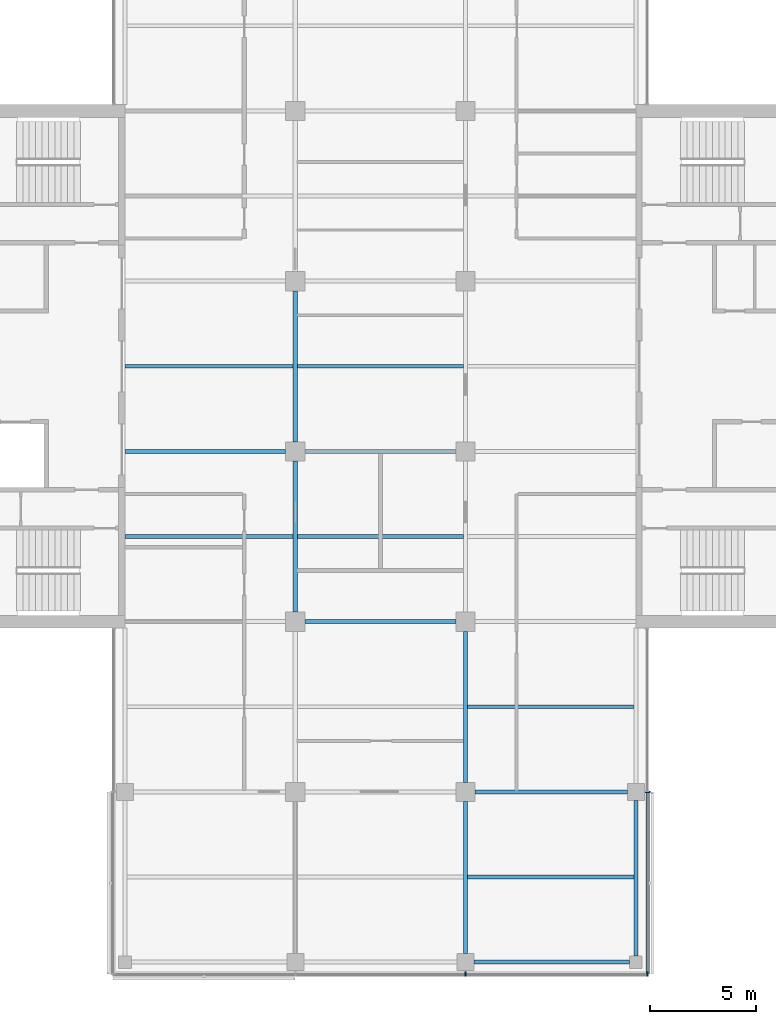
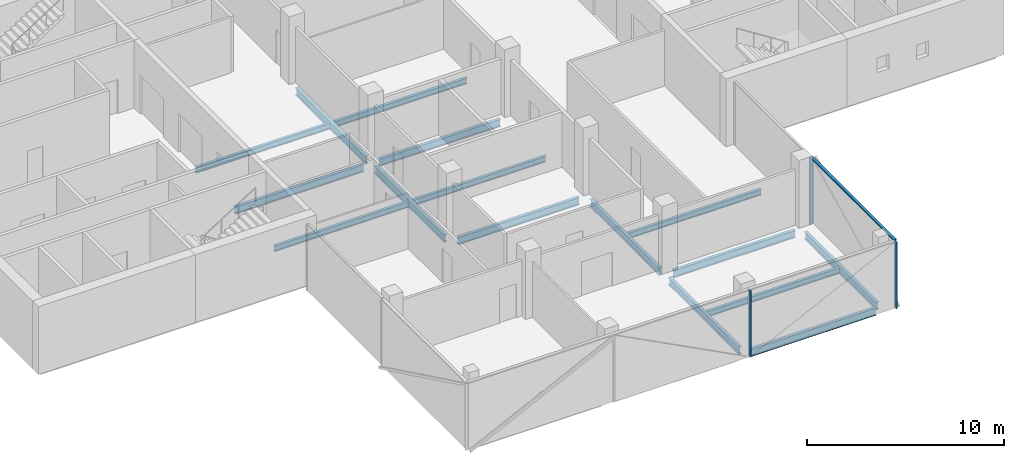
# One storey, part 3 of 15: 16 beams, 4 members, 2 elements without a shape of their own.
"""IFC4 building model written with IfcOpenShell, lengths in metres."""

from ifc_helpers import new_model, si_unit, direction, frame, origin, origin_2d, place, context, subcontext, project, spatial, rectangle, i_section, extrude, material, material_profile, profile_set, type_object, element, aggregate, save


model = new_model("IFC4")

# Units and contexts
model_context = context("Model", 3, precision=1e-05, world=origin(), true_north=direction((0.0, 1.0)))
body_context = subcontext(model_context, "Body", "Model", "MODEL_VIEW")
ifc_project = project(units=[si_unit("LENGTHUNIT", "METRE"), si_unit("AREAUNIT", "SQUARE_METRE"), si_unit("VOLUMEUNIT", "CUBIC_METRE"), si_unit("PLANEANGLEUNIT", "RADIAN"), si_unit("MASSUNIT", "GRAM", prefix="KILO")], contexts=[model_context])

# Site, building, storey
site_placement = place(None, origin())
site = spatial("IfcSite", under=ifc_project, at=site_placement, CompositionType="ELEMENT")
building_placement = place(site_placement, origin())
building = spatial("IfcBuilding", under=site, at=building_placement, Name="Crosswind Convention Tower", CompositionType="ELEMENT")
storey_placement = place(building_placement, frame((0.0, 0.0, 225.10009765625)))
storey = spatial("IfcBuildingStorey", under=building, at=storey_placement, Name="L48", CompositionType="ELEMENT", Elevation=225.10009765625)

# Beams
ifc_material_1 = material(Name="Steel S355", Category="steel")
ifc_material_profile_1 = material_profile(ifc_material_1, i_section(OverallWidth=0.18994140625, OverallDepth=0.45361328125, WebThickness=0.008544921875, FlangeThickness=0.0126953125, FilletRadius=0.01025390625, at=origin_2d()), Name="UB 457x191x67")
ifc_profile_set_1 = profile_set([ifc_material_profile_1], Name="Steel S355")
beam_type_1 = type_object("IfcBeamType", Name="Edge beam UB 457x191x67", PredefinedType="SPANDREL", material=ifc_profile_set_1)
for number, where, z_axis, x_axis, name in (
    (1, (129.39990234375, 72.0, -0.52685546875), (1.0, 0.0, 0.0), (0.0, 1.0, 0.0), "B16 L48 edge beam 9"),
    (2, (137.0, 72.300048828125, -0.52685546875), (0.0, 1.0, 0.0), (-1.0, 0.0, 0.0), "B16 L48 edge beam 11"),
):
    element("IfcBeam", number, at=place(storey_placement, frame(where, z_axis=z_axis, x_axis=x_axis)), inside=storey, type_object=beam_type_1, Name=name, PredefinedType="SPANDREL", context=body_context, shape_type="SweptSolid", body=[
        extrude(i_section(OverallWidth=0.18994140625, OverallDepth=0.45361328125, WebThickness=0.008544921875, FlangeThickness=0.0126953125, FilletRadius=0.01025390625, at=origin_2d()), origin(), (0.0, 0.0, 1.0), 7.300048828125),
    ])
ifc_material_profile_2 = material_profile(ifc_material_1, i_section(OverallWidth=0.1904296875, OverallDepth=0.457275390625, WebThickness=0.009033203125, FlangeThickness=0.014404296875, FilletRadius=0.01025390625, at=origin_2d()), Name="UB 457x191x75")
ifc_profile_set_2 = profile_set([ifc_material_profile_2], Name="Steel S355")
beam_type_2 = type_object("IfcBeamType", Name="Girder UB 457x191x75", PredefinedType="BEAM", material=ifc_profile_set_2)
for number, where, z_axis, x_axis, name in (
    (3, (121.0, 88.449951171875, -0.52880859375), (0.0, 1.0, 0.0), (-1.0, 0.0, 0.0), "B2 L48 girder 5"),
    (4, (121.0, 96.449951171875, -0.52880859375), (0.0, 1.0, 0.0), (-1.0, 0.0, 0.0), "B2 L48 girder 6"),
    (5, (121.449951171875, 88.0, -0.52880859375), (1.0, 0.0, 0.0), (0.0, 1.0, 0.0), "B2 L48 girder 11"),
    (6, (121.449951171875, 96.0, -0.52880859375), (1.0, 0.0, 0.0), (0.0, 1.0, 0.0), "B2 L48 girder 12"),
):
    element("IfcBeam", number, at=place(storey_placement, frame(where, z_axis=z_axis, x_axis=x_axis)), inside=storey, type_object=beam_type_2, Name=name, PredefinedType="BEAM", context=body_context, shape_type="SweptSolid", body=[
        extrude(i_section(OverallWidth=0.1904296875, OverallDepth=0.457275390625, WebThickness=0.009033203125, FlangeThickness=0.014404296875, FilletRadius=0.01025390625, at=origin_2d()), origin(), (0.0, 0.0, 1.0), 7.10009765625),
    ])
beam_1_placement = place(storey_placement, frame((129.0, 72.39990234375, -0.52880859375), z_axis=(0.0, 1.0, 0.0), x_axis=(-1.0, 0.0, 0.0)))
element("IfcBeam", 7, at=beam_1_placement, inside=storey, type_object=beam_type_2, Name="B2 L48 girder 16", PredefinedType="BEAM", context=body_context, shape_type="SweptSolid", body=[
    extrude(i_section(OverallWidth=0.1904296875, OverallDepth=0.457275390625, WebThickness=0.009033203125, FlangeThickness=0.014404296875, FilletRadius=0.01025390625, at=origin_2d()), origin(), (0.0, 0.0, 1.0), 7.150146484375),
])
beam_2_placement = place(storey_placement, frame((129.0, 80.449951171875, -0.52880859375), z_axis=(0.0, 1.0, 0.0), x_axis=(-1.0, 0.0, 0.0)))
element("IfcBeam", 8, at=beam_2_placement, inside=storey, type_object=beam_type_2, Name="B2 L48 girder 17", PredefinedType="BEAM", context=body_context, shape_type="SweptSolid", body=[
    extrude(i_section(OverallWidth=0.1904296875, OverallDepth=0.457275390625, WebThickness=0.009033203125, FlangeThickness=0.014404296875, FilletRadius=0.01025390625, at=origin_2d()), origin(), (0.0, 0.0, 1.0), 7.10009765625),
])
beam_3_placement = place(storey_placement, frame((129.449951171875, 80.0, -0.52880859375), z_axis=(1.0, 0.0, 0.0), x_axis=(0.0, 1.0, 0.0)))
element("IfcBeam", 9, at=beam_3_placement, inside=storey, type_object=beam_type_2, Name="B2 L48 girder 23", PredefinedType="BEAM", context=body_context, shape_type="SweptSolid", body=[
    extrude(i_section(OverallWidth=0.1904296875, OverallDepth=0.457275390625, WebThickness=0.009033203125, FlangeThickness=0.014404296875, FilletRadius=0.01025390625, at=origin_2d()), origin(), (0.0, 0.0, 1.0), 7.150146484375),
])
ifc_material_profile_3 = material_profile(ifc_material_1, i_section(OverallWidth=0.19140625, OverallDepth=0.460205078125, WebThickness=0.010009765625, FlangeThickness=0.01611328125, FilletRadius=0.01025390625, at=origin_2d()), Name="UB 457x191x82")
ifc_profile_set_3 = profile_set([ifc_material_profile_3], Name="Steel S355")
beam_type_3 = type_object("IfcBeamType", Name="Girder at core wall UB 457x191x82", PredefinedType="BEAM", material=ifc_profile_set_3)
beam_4_placement = place(storey_placement, frame((113.0, 96.0, -0.5302734375), z_axis=(1.0, 0.0, 0.0), x_axis=(0.0, 1.0, 0.0)))
element("IfcBeam", 10, at=beam_4_placement, inside=storey, type_object=beam_type_3, Name="B23 L48 girder at core wall 2", PredefinedType="BEAM", context=body_context, shape_type="SweptSolid", body=[
    extrude(i_section(OverallWidth=0.19140625, OverallDepth=0.460205078125, WebThickness=0.010009765625, FlangeThickness=0.01611328125, FilletRadius=0.01025390625, at=origin_2d()), origin(), (0.0, 0.0, 1.0), 7.550048828125),
])

# Curtain wall, members
ifc_material_2 = material(Name="Aluminium unitised curtain wall", Category="aluminium")
curtain_wall_type = type_object("IfcCurtainWallType", Name="OFFICE UNITISED WALL 220", PredefinedType="USERDEFINED", material=ifc_material_2)
curtain_wall_1_placement = place(storey_placement, origin())
curtain_wall_1 = element("IfcCurtainWall", 11, at=curtain_wall_1_placement, inside=storey, type_object=curtain_wall_type, Name="CW3 L48 S-TIP 1", ObjectType="UNITISED", PredefinedType="USERDEFINED")
ifc_material_3 = material(Name="Aluminium mullion", Category="aluminium")
ifc_material_profile_4 = material_profile(ifc_material_3, rectangle(XDim=0.219970703125, YDim=0.070068359375, at=origin_2d()), Name="AL 220X70")
ifc_profile_set_4 = profile_set([ifc_material_profile_4], Name="Aluminium mullion")
member_type_1 = type_object("IfcMemberType", Name="MULLION 70X220", PredefinedType="MULLION", material=ifc_profile_set_4)
member_1_placement = place(storey_placement, frame((129.0, 71.43994140625, -0.300048828125), z_axis=(0.0, 0.0, 1.0), x_axis=(0.0, -1.0, 0.0)))
member_1 = element("IfcMember", 12, at=member_1_placement, type_object=member_type_1, Name="CW3 mullion 3", PredefinedType="MULLION", context=body_context, shape_type="SweptSolid", body=[
    extrude(rectangle(XDim=0.219970703125, YDim=0.070068359375, at=origin_2d()), origin(), (0.0, 0.0, 1.0), 4.1298828125),
])
member_2_placement = place(storey_placement, frame((137.56005859375, 71.43994140625, -0.300048828125), z_axis=(0.0, 0.0, 1.0), x_axis=(0.0, -1.0, 0.0)))
member_2 = element("IfcMember", 13, at=member_2_placement, type_object=member_type_1, Name="CW3 mullion 4", PredefinedType="MULLION", context=body_context, shape_type="SweptSolid", body=[
    extrude(rectangle(XDim=0.219970703125, YDim=0.070068359375, at=origin_2d()), origin(), (0.0, 0.0, 1.0), 4.1298828125),
])
aggregate(curtain_wall_1, [member_1, member_2])

# Curtain wall, member
curtain_wall_2_placement = place(storey_placement, origin())
curtain_wall_2 = element("IfcCurtainWall", 14, at=curtain_wall_2_placement, inside=storey, type_object=curtain_wall_type, Name="CW3 L48 S-E 1", ObjectType="UNITISED", PredefinedType="USERDEFINED")
member_3_placement = place(storey_placement, frame((137.56005859375, 80.0, -0.300048828125), z_axis=(0.0, 0.0, 1.0), x_axis=(1.0, 0.0, 0.0)))
member_3 = element("IfcMember", 15, at=member_3_placement, type_object=member_type_1, Name="CW3 mullion 2", PredefinedType="MULLION", context=body_context, shape_type="SweptSolid", body=[
    extrude(rectangle(XDim=0.219970703125, YDim=0.070068359375, at=origin_2d()), origin(), (0.0, 0.0, 1.0), 4.1298828125),
])

# Beams
ifc_material_profile_5 = material_profile(ifc_material_1, i_section(OverallWidth=0.172119140625, OverallDepth=0.358642578125, WebThickness=0.008056640625, FlangeThickness=0.012939453125, FilletRadius=0.01025390625, at=origin_2d()), Name="UB 356x171x57")
ifc_profile_set_5 = profile_set([ifc_material_profile_5], Name="Steel S355")
beam_type_4 = type_object("IfcBeamType", Name="Secondary beam UB 356x171x57", PredefinedType="JOIST", material=ifc_profile_set_5)
for number, where, z_axis, x_axis, name in (
    (16, (113.0, 92.0, -0.4794921875), (1.0, 0.0, 0.0), (0.0, 1.0, 0.0), "B9 L48 secondary beam 1"),
    (17, (113.0, 100.0, -0.4794921875), (1.0, 0.0, 0.0), (0.0, 1.0, 0.0), "B9 L48 secondary beam 2"),
):
    element("IfcBeam", number, at=place(storey_placement, frame(where, z_axis=z_axis, x_axis=x_axis)), inside=storey, type_object=beam_type_4, Name=name, PredefinedType="JOIST", context=body_context, shape_type="SweptSolid", body=[
        extrude(i_section(OverallWidth=0.172119140625, OverallDepth=0.358642578125, WebThickness=0.008056640625, FlangeThickness=0.012939453125, FilletRadius=0.01025390625, at=origin_2d()), origin(), (0.0, 0.0, 1.0), 7.90478515625),
    ])
for number, where, z_axis, x_axis, name in (
    (18, (121.09521484375, 92.0, -0.4794921875), (1.0, 0.0, 0.0), (0.0, 1.0, 0.0), "B9 L48 secondary beam 10"),
    (19, (121.09521484375, 100.0, -0.4794921875), (1.0, 0.0, 0.0), (0.0, 1.0, 0.0), "B9 L48 secondary beam 11"),
):
    element("IfcBeam", number, at=place(storey_placement, frame(where, z_axis=z_axis, x_axis=x_axis)), inside=storey, type_object=beam_type_4, Name=name, PredefinedType="JOIST", context=body_context, shape_type="SweptSolid", body=[
        extrude(i_section(OverallWidth=0.172119140625, OverallDepth=0.358642578125, WebThickness=0.008056640625, FlangeThickness=0.012939453125, FilletRadius=0.01025390625, at=origin_2d()), origin(), (0.0, 0.0, 1.0), 7.8095703125),
    ])
for number, where, z_axis, x_axis, name in (
    (20, (129.09521484375, 76.0, -0.4794921875), (1.0, 0.0, 0.0), (0.0, 1.0, 0.0), "B9 L48 secondary beam 15"),
    (21, (129.09521484375, 84.0, -0.4794921875), (1.0, 0.0, 0.0), (0.0, 1.0, 0.0), "B9 L48 secondary beam 16"),
):
    element("IfcBeam", number, at=place(storey_placement, frame(where, z_axis=z_axis, x_axis=x_axis)), inside=storey, type_object=beam_type_4, Name=name, PredefinedType="JOIST", context=body_context, shape_type="SweptSolid", body=[
        extrude(i_section(OverallWidth=0.172119140625, OverallDepth=0.358642578125, WebThickness=0.008056640625, FlangeThickness=0.012939453125, FilletRadius=0.01025390625, at=origin_2d()), origin(), (0.0, 0.0, 1.0), 7.809814453125),
    ])

# Member
ifc_material_4 = material(Name="Aluminium transom", Category="aluminium")
ifc_material_profile_6 = material_profile(ifc_material_4, rectangle(XDim=0.159912109375, YDim=0.070068359375, at=origin_2d()), Name="AL 160X70")
ifc_profile_set_6 = profile_set([ifc_material_profile_6], Name="Aluminium transom")
member_type_2 = type_object("IfcMemberType", Name="TRANSOM 70X160", PredefinedType="USERDEFINED", material=ifc_profile_set_6)
member_4_placement = place(storey_placement, frame((137.56005859375, 71.47509765625, 3.864990234375), z_axis=(0.0, 1.0, 0.0), x_axis=(-1.0, 0.0, 0.0)))
member_4 = element("IfcMember", 22, at=member_4_placement, type_object=member_type_2, Name="CW3 transom", ObjectType="TRANSOM", PredefinedType="USERDEFINED", context=body_context, shape_type="SweptSolid", body=[
    extrude(rectangle(XDim=0.159912109375, YDim=0.070068359375, at=origin_2d()), origin(), (0.0, 0.0, 1.0), 8.489990234375),
])

aggregate(curtain_wall_2, [member_3, member_4])

save(model, "model.ifc")
